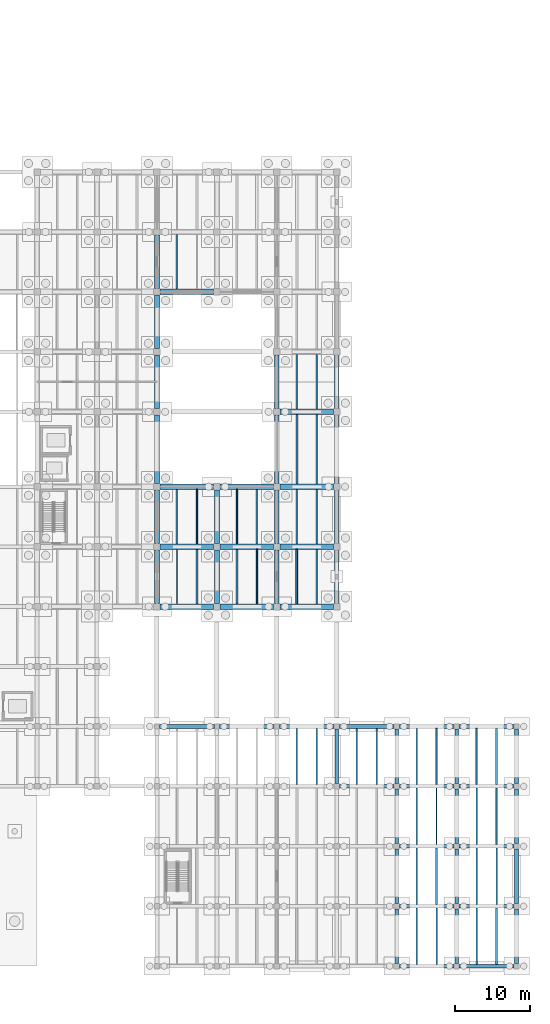
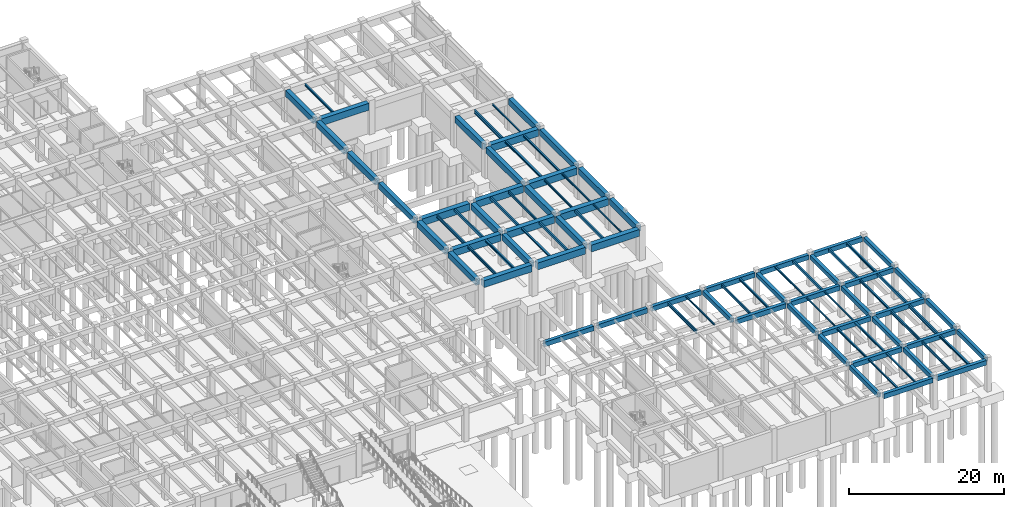
# One storey, part 21 of 44: 92 beams.
"""IFC4 building model written with IfcOpenShell, lengths in metres."""

from ifc_helpers import new_model, si_unit, direction, frame, origin, origin_2d, place, context, subcontext, project, spatial, rectangle, i_section, extrude, material, material_profile, profile_set, type_object, element, save


model = new_model("IFC4")

# Units and contexts
model_context = context("Model", 3, precision=1e-05, world=origin(), true_north=direction((0.0, 1.0)))
body_context = subcontext(model_context, "Body", "Model", "MODEL_VIEW")
ifc_project = project(units=[si_unit("LENGTHUNIT", "METRE"), si_unit("AREAUNIT", "SQUARE_METRE"), si_unit("VOLUMEUNIT", "CUBIC_METRE"), si_unit("PLANEANGLEUNIT", "RADIAN"), si_unit("MASSUNIT", "GRAM", prefix="KILO")], contexts=[model_context])

# Site, building, storey
site_placement = place(None, origin())
site = spatial("IfcSite", under=ifc_project, at=site_placement, CompositionType="ELEMENT")
building_placement = place(site_placement, origin())
building = spatial("IfcBuilding", under=site, at=building_placement, Name="Pecanmere Concourse Central Library", CompositionType="ELEMENT")
storey_placement = place(building_placement, frame((0.0, 0.0, -5.39990234375)))
storey = spatial("IfcBuildingStorey", under=building, at=storey_placement, Name="B1", CompositionType="ELEMENT", Elevation=-5.39990234375)

# Beams
ifc_material_1 = material(Name="Concrete C40/50", Category="concrete")
ifc_material_profile_1 = material_profile(ifc_material_1, rectangle(XDim=0.47998046875, YDim=0.679931640625, at=origin_2d()), Name="RC 480x680")
ifc_profile_set_1 = profile_set([ifc_material_profile_1], Name="Concrete C40/50")
beam_type_1 = type_object("IfcBeamType", Name="GRD_480x680", PredefinedType="USERDEFINED", material=ifc_profile_set_1)
for number, where, z_axis, x_axis, name in (
    (1, (152.0, 24.35009765625, 4.639892578125), (0.0, 1.0, 0.0), (-1.0, 0.0, 0.0), "Primary Girder Y L01-0397"),
    (2, (160.0, 0.35009765625, 4.639892578125), (0.0, 1.0, 0.0), (-1.0, 0.0, 0.0), "Primary Girder Y L01-0405"),
    (3, (160.0, 8.35009765625, 4.639892578125), (0.0, 1.0, 0.0), (-1.0, 0.0, 0.0), "Primary Girder Y L01-0406"),
    (4, (160.0, 16.35009765625, 4.639892578125), (0.0, 1.0, 0.0), (-1.0, 0.0, 0.0), "Primary Girder Y L01-0407"),
    (5, (160.0, 24.35009765625, 4.639892578125), (0.0, 1.0, 0.0), (-1.0, 0.0, 0.0), "Primary Girder Y L01-0408"),
    (6, (168.0, 0.35009765625, 4.639892578125), (0.0, 1.0, 0.0), (-1.0, 0.0, 0.0), "Primary Girder Y L01-0409"),
    (7, (168.0, 8.35009765625, 4.639892578125), (0.0, 1.0, 0.0), (-1.0, 0.0, 0.0), "Primary Girder Y L01-0410"),
    (8, (168.0, 16.35009765625, 4.639892578125), (0.0, 1.0, 0.0), (-1.0, 0.0, 0.0), "Primary Girder Y L01-0411"),
    (9, (168.0, 24.35009765625, 4.639892578125), (0.0, 1.0, 0.0), (-1.0, 0.0, 0.0), "Primary Girder Y L01-0412"),
    (10, (176.0, 0.35009765625, 4.639892578125), (0.0, 1.0, 0.0), (-1.0, 0.0, 0.0), "Primary Girder Y L01-0413"),
    (11, (176.0, 8.35009765625, 4.639892578125), (0.0, 1.0, 0.0), (-1.0, 0.0, 0.0), "Primary Girder Y L01-0414"),
    (12, (176.0, 16.35009765625, 4.639892578125), (0.0, 1.0, 0.0), (-1.0, 0.0, 0.0), "Primary Girder Y L01-0415"),
    (13, (176.0, 24.35009765625, 4.639892578125), (0.0, 1.0, 0.0), (-1.0, 0.0, 0.0), "Primary Girder Y L01-0416"),
):
    element("IfcBeam", number, at=place(storey_placement, frame(where, z_axis=z_axis, x_axis=x_axis)), inside=storey, type_object=beam_type_1, Name=name, ObjectType="GIRDER", PredefinedType="USERDEFINED", context=body_context, shape_type="SweptSolid", body=[
        extrude(rectangle(XDim=0.47998046875, YDim=0.679931640625, at=origin_2d()), origin(), (0.0, 0.0, 1.0), 7.2998046875),
    ])
ifc_material_2 = material(Name="Concrete C40/50", Category="concrete")
ifc_material_profile_2 = material_profile(ifc_material_2, rectangle(XDim=0.5, YDim=0.739990234375, at=origin_2d()), Name="RC 500x740")
ifc_profile_set_2 = profile_set([ifc_material_profile_2], Name="Concrete C40/50")
beam_type_2 = type_object("IfcBeamType", Name="GRD_500x740", PredefinedType="USERDEFINED", material=ifc_profile_set_2)
for number, where, z_axis, x_axis, name in (
    (14, (160.35009765625, 0.0, 4.60986328125), (1.0, 0.0, 0.0), (0.0, 1.0, 0.0), "Primary Girder X L01-0011"),
    (15, (168.35009765625, 0.0, 4.60986328125), (1.0, 0.0, 0.0), (0.0, 1.0, 0.0), "Primary Girder X L01-0012"),
    (16, (160.35009765625, 8.0, 4.60986328125), (1.0, 0.0, 0.0), (0.0, 1.0, 0.0), "Primary Girder X L01-0023"),
    (17, (168.35009765625, 8.0, 4.60986328125), (1.0, 0.0, 0.0), (0.0, 1.0, 0.0), "Primary Girder X L01-0024"),
    (18, (160.35009765625, 16.0, 4.60986328125), (1.0, 0.0, 0.0), (0.0, 1.0, 0.0), "Primary Girder X L01-0035"),
    (19, (168.35009765625, 16.0, 4.60986328125), (1.0, 0.0, 0.0), (0.0, 1.0, 0.0), "Primary Girder X L01-0036"),
    (20, (152.35009765625, 24.0, 4.60986328125), (1.0, 0.0, 0.0), (0.0, 1.0, 0.0), "Primary Girder X L01-0054"),
    (21, (160.35009765625, 24.0, 4.60986328125), (1.0, 0.0, 0.0), (0.0, 1.0, 0.0), "Primary Girder X L01-0055"),
    (22, (168.35009765625, 24.0, 4.60986328125), (1.0, 0.0, 0.0), (0.0, 1.0, 0.0), "Primary Girder X L01-0056"),
    (23, (128.35009765625, 32.0, 4.60986328125), (1.0, 0.0, 0.0), (0.0, 1.0, 0.0), "Primary Girder X L01-0071"),
    (24, (136.35009765625, 32.0, 4.60986328125), (1.0, 0.0, 0.0), (0.0, 1.0, 0.0), "Primary Girder X L01-0072"),
    (25, (144.35009765625, 32.0, 4.60986328125), (1.0, 0.0, 0.0), (0.0, 1.0, 0.0), "Primary Girder X L01-0073"),
    (26, (152.35009765625, 32.0, 4.60986328125), (1.0, 0.0, 0.0), (0.0, 1.0, 0.0), "Primary Girder X L01-0074"),
    (27, (160.35009765625, 32.0, 4.60986328125), (1.0, 0.0, 0.0), (0.0, 1.0, 0.0), "Primary Girder X L01-0075"),
    (28, (168.35009765625, 32.0, 4.60986328125), (1.0, 0.0, 0.0), (0.0, 1.0, 0.0), "Primary Girder X L01-0076"),
):
    element("IfcBeam", number, at=place(storey_placement, frame(where, z_axis=z_axis, x_axis=x_axis)), inside=storey, type_object=beam_type_2, Name=name, ObjectType="GIRDER", PredefinedType="USERDEFINED", context=body_context, shape_type="SweptSolid", body=[
        extrude(rectangle(XDim=0.5, YDim=0.739990234375, at=origin_2d()), origin(), (0.0, 0.0, 1.0), 7.2998046875),
    ])
ifc_material_3 = material(Name="Concrete C40/50", Category="concrete")
ifc_material_profile_3 = material_profile(ifc_material_3, rectangle(XDim=0.6201171875, YDim=0.919921875, at=origin_2d()), Name="RC 620x920")
ifc_profile_set_3 = profile_set([ifc_material_profile_3], Name="Concrete C40/50")
beam_type_3 = type_object("IfcBeamType", Name="GRD_620x920", PredefinedType="USERDEFINED", material=ifc_profile_set_3)
for number, where, z_axis, x_axis, name in (
    (29, (128.0, 64.429931640625, 4.52001953125), (0.0, 1.0, 0.0), (-1.0, 0.0, 0.0), "Primary Girder Y L01-0370"),
    (30, (144.0, 64.429931640625, 4.52001953125), (0.0, 1.0, 0.0), (-1.0, 0.0, 0.0), "Primary Girder Y L01-0389"),
    (31, (152.0, 64.429931640625, 4.52001953125), (0.0, 1.0, 0.0), (-1.0, 0.0, 0.0), "Primary Girder Y L01-0400"),
):
    element("IfcBeam", number, at=place(storey_placement, frame(where, z_axis=z_axis, x_axis=x_axis)), inside=storey, type_object=beam_type_3, Name=name, ObjectType="GIRDER", PredefinedType="USERDEFINED", context=body_context, shape_type="SweptSolid", body=[
        extrude(rectangle(XDim=0.6201171875, YDim=0.919921875, at=origin_2d()), origin(), (0.0, 0.0, 1.0), 9.14013671875),
    ])
ifc_material_4 = material(Name="Concrete C40/50", Category="concrete")
ifc_material_profile_4 = material_profile(ifc_material_4, rectangle(XDim=0.639892578125, YDim=0.949951171875, at=origin_2d()), Name="RC 640x950")
ifc_profile_set_4 = profile_set([ifc_material_profile_4], Name="Concrete C40/50")
beam_type_4 = type_object("IfcBeamType", Name="GRD_640x950", PredefinedType="USERDEFINED", material=ifc_profile_set_4)
for number, where, z_axis, x_axis, name in (
    (32, (128.0, 48.429931640625, 4.5048828125), (0.0, 1.0, 0.0), (-1.0, 0.0, 0.0), "Primary Girder Y L01-0368"),
    (33, (128.0, 56.429931640625, 4.5048828125), (0.0, 1.0, 0.0), (-1.0, 0.0, 0.0), "Primary Girder Y L01-0369"),
    (34, (128.0, 74.429931640625, 4.5048828125), (0.0, 1.0, 0.0), (-1.0, 0.0, 0.0), "Primary Girder Y L01-0371"),
    (35, (128.0, 82.429931640625, 4.5048828125), (0.0, 1.0, 0.0), (-1.0, 0.0, 0.0), "Primary Girder Y L01-0372"),
    (36, (128.0, 90.429931640625, 4.5048828125), (0.0, 1.0, 0.0), (-1.0, 0.0, 0.0), "Primary Girder Y L01-0373"),
    (37, (136.0, 48.429931640625, 4.5048828125), (0.0, 1.0, 0.0), (-1.0, 0.0, 0.0), "Primary Girder Y L01-0379"),
    (38, (136.0, 56.429931640625, 4.5048828125), (0.0, 1.0, 0.0), (-1.0, 0.0, 0.0), "Primary Girder Y L01-0380"),
    (39, (144.0, 48.429931640625, 4.5048828125), (0.0, 1.0, 0.0), (-1.0, 0.0, 0.0), "Primary Girder Y L01-0387"),
    (40, (144.0, 56.429931640625, 4.5048828125), (0.0, 1.0, 0.0), (-1.0, 0.0, 0.0), "Primary Girder Y L01-0388"),
    (41, (144.0, 74.429931640625, 4.5048828125), (0.0, 1.0, 0.0), (-1.0, 0.0, 0.0), "Primary Girder Y L01-0390"),
    (42, (152.0, 48.429931640625, 4.5048828125), (0.0, 1.0, 0.0), (-1.0, 0.0, 0.0), "Primary Girder Y L01-0398"),
    (43, (152.0, 56.429931640625, 4.5048828125), (0.0, 1.0, 0.0), (-1.0, 0.0, 0.0), "Primary Girder Y L01-0399"),
    (44, (152.0, 74.429931640625, 4.5048828125), (0.0, 1.0, 0.0), (-1.0, 0.0, 0.0), "Primary Girder Y L01-0401"),
):
    element("IfcBeam", number, at=place(storey_placement, frame(where, z_axis=z_axis, x_axis=x_axis)), inside=storey, type_object=beam_type_4, Name=name, ObjectType="GIRDER", PredefinedType="USERDEFINED", context=body_context, shape_type="SweptSolid", body=[
        extrude(rectangle(XDim=0.639892578125, YDim=0.949951171875, at=origin_2d()), origin(), (0.0, 0.0, 1.0), 7.14013671875),
    ])
ifc_material_5 = material(Name="Concrete C40/50", Category="concrete")
ifc_material_profile_5 = material_profile(ifc_material_5, rectangle(XDim=0.719970703125, YDim=1.080078125, at=origin_2d()), Name="RC 720x1080")
ifc_profile_set_5 = profile_set([ifc_material_profile_5], Name="Concrete C40/50")
beam_type_5 = type_object("IfcBeamType", Name="GRD_720x1080", PredefinedType="USERDEFINED", material=ifc_profile_set_5)
for number, where, z_axis, x_axis, name in (
    (45, (128.429931640625, 48.0, 4.43994140625), (1.0, 0.0, 0.0), (0.0, 1.0, 0.0), "Primary Girder X L01-0098"),
    (46, (136.429931640625, 48.0, 4.43994140625), (1.0, 0.0, 0.0), (0.0, 1.0, 0.0), "Primary Girder X L01-0099"),
    (47, (144.429931640625, 48.0, 4.43994140625), (1.0, 0.0, 0.0), (0.0, 1.0, 0.0), "Primary Girder X L01-0100"),
    (48, (128.429931640625, 56.0, 4.43994140625), (1.0, 0.0, 0.0), (0.0, 1.0, 0.0), "Primary Girder X L01-0114"),
    (49, (136.429931640625, 56.0, 4.43994140625), (1.0, 0.0, 0.0), (0.0, 1.0, 0.0), "Primary Girder X L01-0115"),
    (50, (144.429931640625, 56.0, 4.43994140625), (1.0, 0.0, 0.0), (0.0, 1.0, 0.0), "Primary Girder X L01-0116"),
    (51, (128.429931640625, 64.0, 4.43994140625), (1.0, 0.0, 0.0), (0.0, 1.0, 0.0), "Primary Girder X L01-0130"),
    (52, (136.429931640625, 64.0, 4.43994140625), (1.0, 0.0, 0.0), (0.0, 1.0, 0.0), "Primary Girder X L01-0131"),
    (53, (144.429931640625, 64.0, 4.43994140625), (1.0, 0.0, 0.0), (0.0, 1.0, 0.0), "Primary Girder X L01-0132"),
    (54, (144.429931640625, 74.0, 4.43994140625), (1.0, 0.0, 0.0), (0.0, 1.0, 0.0), "Primary Girder X L01-0144"),
    (55, (128.429931640625, 90.0, 4.43994140625), (1.0, 0.0, 0.0), (0.0, 1.0, 0.0), "Primary Girder X L01-0170"),
):
    element("IfcBeam", number, at=place(storey_placement, frame(where, z_axis=z_axis, x_axis=x_axis)), inside=storey, type_object=beam_type_5, Name=name, ObjectType="GIRDER", PredefinedType="USERDEFINED", context=body_context, shape_type="SweptSolid", body=[
        extrude(rectangle(XDim=0.719970703125, YDim=1.080078125, at=origin_2d()), origin(), (0.0, 0.0, 1.0), 7.14013671875),
    ])
ifc_material_6 = material(Name="Concrete C40/50", Category="concrete")
ifc_material_profile_6 = material_profile(ifc_material_6, rectangle(XDim=0.219970703125, YDim=0.409912109375, at=origin_2d()), Name="RC 220x410")
ifc_profile_set_6 = profile_set([ifc_material_profile_6], Name="Concrete C40/50")
beam_type_6 = type_object("IfcBeamType", Name="JST_RC_220x410", PredefinedType="JOIST", material=ifc_profile_set_6)
for number, where, z_axis, x_axis, name in (
    (56, (133.333251953125, 56.360107421875, 4.77490234375), (0.0, 1.0, 0.0), (-1.0, 0.0, 0.0), "Secondary Floor Joist L01-0692"),
    (57, (141.333251953125, 48.360107421875, 4.77490234375), (0.0, 1.0, 0.0), (-1.0, 0.0, 0.0), "Secondary Floor Joist L01-0706"),
    (58, (138.666748046875, 56.360107421875, 4.77490234375), (0.0, 1.0, 0.0), (-1.0, 0.0, 0.0), "Secondary Floor Joist L01-0707"),
    (59, (146.666748046875, 48.360107421875, 4.77490234375), (0.0, 1.0, 0.0), (-1.0, 0.0, 0.0), "Secondary Floor Joist L01-0721"),
):
    element("IfcBeam", number, at=place(storey_placement, frame(where, z_axis=z_axis, x_axis=x_axis)), inside=storey, type_object=beam_type_6, Name=name, PredefinedType="JOIST", context=body_context, shape_type="SweptSolid", body=[
        extrude(rectangle(XDim=0.219970703125, YDim=0.409912109375, at=origin_2d()), origin(), (0.0, 0.0, 1.0), 7.27978515625),
    ])
for number, where, z_axis, x_axis, name in (
    (60, (165.333251953125, 24.25, 4.77490234375), (0.0, 1.0, 0.0), (-1.0, 0.0, 0.0), "Secondary Floor Joist L01-0750"),
    (61, (173.333251953125, 16.25, 4.77490234375), (0.0, 1.0, 0.0), (-1.0, 0.0, 0.0), "Secondary Floor Joist L01-0756"),
    (62, (170.666748046875, 24.25, 4.77490234375), (0.0, 1.0, 0.0), (-1.0, 0.0, 0.0), "Secondary Floor Joist L01-0757"),
):
    element("IfcBeam", number, at=place(storey_placement, frame(where, z_axis=z_axis, x_axis=x_axis)), inside=storey, type_object=beam_type_6, Name=name, PredefinedType="JOIST", context=body_context, shape_type="SweptSolid", body=[
        extrude(rectangle(XDim=0.219970703125, YDim=0.409912109375, at=origin_2d()), origin(), (0.0, 0.0, 1.0), 7.5),
    ])
ifc_material_7 = material(Name="Structural steel ASTM A992 Grade 50", Category="steel")
ifc_material_profile_7 = material_profile(ifc_material_7, i_section(OverallWidth=0.152099609375, OverallDepth=0.152099609375, WebThickness=0.005859375, FlangeThickness=0.006591796875, at=origin_2d()), Name="W150x22.5")
ifc_profile_set_7 = profile_set([ifc_material_profile_7], Name="Structural steel ASTM A992 Grade 50")
beam_type_7 = type_object("IfcBeamType", Name="SBM_W150x22", PredefinedType="LINTEL", material=ifc_profile_set_7)
beam_1_placement = place(storey_placement, frame((165.333251953125, 16.25, 4.90380859375), z_axis=(0.0, 1.0, 0.0), x_axis=(-1.0, 0.0, 0.0)))
element("IfcBeam", 63, at=beam_1_placement, inside=storey, type_object=beam_type_7, Name="Secondary Floor Joist L01-0748", PredefinedType="LINTEL", context=body_context, shape_type="SweptSolid", body=[
    extrude(i_section(OverallWidth=0.152099609375, OverallDepth=0.152099609375, WebThickness=0.005859375, FlangeThickness=0.006591796875, at=origin_2d()), origin(), (0.0, 0.0, 1.0), 7.5),
])
ifc_material_8 = material(Name="Structural steel ASTM A992 Grade 50", Category="steel")
ifc_material_profile_8 = material_profile(ifc_material_8, i_section(OverallWidth=0.1650390625, OverallDepth=0.200927734375, WebThickness=0.006103515625, FlangeThickness=0.01025390625, at=origin_2d()), Name="W200x35.9")
ifc_profile_set_8 = profile_set([ifc_material_profile_8], Name="Structural steel ASTM A992 Grade 50")
beam_type_8 = type_object("IfcBeamType", Name="SBM_W200x36", PredefinedType="LINTEL", material=ifc_profile_set_8)
beam_2_placement = place(storey_placement, frame((149.333251953125, 24.25, 4.87939453125), z_axis=(0.0, 1.0, 0.0), x_axis=(-1.0, 0.0, 0.0)))
element("IfcBeam", 64, at=beam_2_placement, inside=storey, type_object=beam_type_8, Name="Secondary Floor Joist L01-0720", PredefinedType="LINTEL", context=body_context, shape_type="SweptSolid", body=[
    extrude(i_section(OverallWidth=0.1650390625, OverallDepth=0.200927734375, WebThickness=0.006103515625, FlangeThickness=0.01025390625, at=origin_2d()), origin(), (0.0, 0.0, 1.0), 7.5),
])
for number, where, z_axis, x_axis, name in (
    (65, (149.333251953125, 48.360107421875, 4.87939453125), (0.0, 1.0, 0.0), (-1.0, 0.0, 0.0), "Secondary Floor Joist L01-0722"),
    (66, (149.333251953125, 74.360107421875, 4.87939453125), (0.0, 1.0, 0.0), (-1.0, 0.0, 0.0), "Secondary Floor Joist L01-0728"),
):
    element("IfcBeam", number, at=place(storey_placement, frame(where, z_axis=z_axis, x_axis=x_axis)), inside=storey, type_object=beam_type_8, Name=name, PredefinedType="LINTEL", context=body_context, shape_type="SweptSolid", body=[
        extrude(i_section(OverallWidth=0.1650390625, OverallDepth=0.200927734375, WebThickness=0.006103515625, FlangeThickness=0.01025390625, at=origin_2d()), origin(), (0.0, 0.0, 1.0), 7.27978515625),
    ])
beam_3_placement = place(storey_placement, frame((162.666748046875, 16.25, 4.87939453125), z_axis=(0.0, 1.0, 0.0), x_axis=(-1.0, 0.0, 0.0)))
element("IfcBeam", 67, at=beam_3_placement, inside=storey, type_object=beam_type_8, Name="Secondary Floor Joist L01-0747", PredefinedType="LINTEL", context=body_context, shape_type="SweptSolid", body=[
    extrude(i_section(OverallWidth=0.1650390625, OverallDepth=0.200927734375, WebThickness=0.006103515625, FlangeThickness=0.01025390625, at=origin_2d()), origin(), (0.0, 0.0, 1.0), 7.5),
])
ifc_material_9 = material(Name="Structural steel ASTM A992 Grade 50", Category="steel")
ifc_material_profile_9 = material_profile(ifc_material_9, i_section(OverallWidth=0.2041015625, OverallDepth=0.2060546875, WebThickness=0.0078125, FlangeThickness=0.0126953125, at=origin_2d()), Name="W200x52")
ifc_profile_set_9 = profile_set([ifc_material_profile_9], Name="Structural steel ASTM A992 Grade 50")
beam_type_9 = type_object("IfcBeamType", Name="SBM_W200x52", PredefinedType="JOIST", material=ifc_profile_set_9)
beam_4_placement = place(storey_placement, frame((165.333251953125, 0.25, 4.876953125), z_axis=(0.0, 1.0, 0.0), x_axis=(-1.0, 0.0, 0.0)))
element("IfcBeam", 68, at=beam_4_placement, inside=storey, type_object=beam_type_9, Name="Secondary Floor Joist L01-0744", PredefinedType="JOIST", context=body_context, shape_type="SweptSolid", body=[
    extrude(i_section(OverallWidth=0.2041015625, OverallDepth=0.2060546875, WebThickness=0.0078125, FlangeThickness=0.0126953125, at=origin_2d()), origin(), (0.0, 0.0, 1.0), 7.5),
])
ifc_material_10 = material(Name="Structural steel ASTM A992 Grade 50", Category="steel")
ifc_material_profile_10 = material_profile(ifc_material_10, i_section(OverallWidth=0.201904296875, OverallDepth=0.2470703125, WebThickness=0.00732421875, FlangeThickness=0.010986328125, at=origin_2d()), Name="W250x49.1")
ifc_profile_set_10 = profile_set([ifc_material_profile_10], Name="Structural steel ASTM A992 Grade 50")
beam_type_10 = type_object("IfcBeamType", Name="SBM_W250x49", PredefinedType="JOIST", material=ifc_profile_set_10)
beam_5_placement = place(storey_placement, frame((149.333251953125, 56.360107421875, 4.8564453125), z_axis=(0.0, 1.0, 0.0), x_axis=(-1.0, 0.0, 0.0)))
element("IfcBeam", 69, at=beam_5_placement, inside=storey, type_object=beam_type_10, Name="Secondary Floor Joist L01-0724", PredefinedType="JOIST", context=body_context, shape_type="SweptSolid", body=[
    extrude(i_section(OverallWidth=0.201904296875, OverallDepth=0.2470703125, WebThickness=0.00732421875, FlangeThickness=0.010986328125, at=origin_2d()), origin(), (0.0, 0.0, 1.0), 7.27978515625),
])
for number, where, z_axis, x_axis, name in (
    (70, (162.666748046875, 0.25, 4.8564453125), (0.0, 1.0, 0.0), (-1.0, 0.0, 0.0), "Secondary Floor Joist L01-0743"),
    (71, (162.666748046875, 24.25, 4.8564453125), (0.0, 1.0, 0.0), (-1.0, 0.0, 0.0), "Secondary Floor Joist L01-0749"),
):
    element("IfcBeam", number, at=place(storey_placement, frame(where, z_axis=z_axis, x_axis=x_axis)), inside=storey, type_object=beam_type_10, Name=name, PredefinedType="JOIST", context=body_context, shape_type="SweptSolid", body=[
        extrude(i_section(OverallWidth=0.201904296875, OverallDepth=0.2470703125, WebThickness=0.00732421875, FlangeThickness=0.010986328125, at=origin_2d()), origin(), (0.0, 0.0, 1.0), 7.5),
    ])
ifc_material_11 = material(Name="Structural steel ASTM A992 Grade 50", Category="steel")
ifc_material_profile_11 = material_profile(ifc_material_11, i_section(OverallWidth=0.25390625, OverallDepth=0.2529296875, WebThickness=0.008544921875, FlangeThickness=0.01416015625, at=origin_2d()), Name="W250x73")
ifc_profile_set_11 = profile_set([ifc_material_profile_11], Name="Structural steel ASTM A992 Grade 50")
beam_type_11 = type_object("IfcBeamType", Name="SBM_W250x73", PredefinedType="BEAM", material=ifc_profile_set_11)
beam_6_placement = place(storey_placement, frame((138.666748046875, 48.360107421875, 4.853515625), z_axis=(0.0, 1.0, 0.0), x_axis=(-1.0, 0.0, 0.0)))
element("IfcBeam", 72, at=beam_6_placement, inside=storey, type_object=beam_type_11, Name="Secondary Floor Joist L01-0705", PredefinedType="BEAM", context=body_context, shape_type="SweptSolid", body=[
    extrude(i_section(OverallWidth=0.25390625, OverallDepth=0.2529296875, WebThickness=0.008544921875, FlangeThickness=0.01416015625, at=origin_2d()), origin(), (0.0, 0.0, 1.0), 7.27978515625),
])
beam_7_placement = place(storey_placement, frame((165.333251953125, 8.25, 4.853515625), z_axis=(0.0, 1.0, 0.0), x_axis=(-1.0, 0.0, 0.0)))
element("IfcBeam", 73, at=beam_7_placement, inside=storey, type_object=beam_type_11, Name="Secondary Floor Joist L01-0746", PredefinedType="BEAM", context=body_context, shape_type="SweptSolid", body=[
    extrude(i_section(OverallWidth=0.25390625, OverallDepth=0.2529296875, WebThickness=0.008544921875, FlangeThickness=0.01416015625, at=origin_2d()), origin(), (0.0, 0.0, 1.0), 7.5),
])
ifc_material_12 = material(Name="Structural steel ASTM A992 Grade 50", Category="steel")
ifc_material_profile_12 = material_profile(ifc_material_12, i_section(OverallWidth=0.1669921875, OverallDepth=0.31689453125, WebThickness=0.007568359375, FlangeThickness=0.01318359375, at=origin_2d()), Name="W310x52")
ifc_profile_set_12 = profile_set([ifc_material_profile_12], Name="Structural steel ASTM A992 Grade 50")
beam_type_12 = type_object("IfcBeamType", Name="SBM_W310x52", PredefinedType="JOIST", material=ifc_profile_set_12)
beam_8_placement = place(storey_placement, frame((146.666748046875, 56.360107421875, 4.8212890625), z_axis=(0.0, 1.0, 0.0), x_axis=(-1.0, 0.0, 0.0)))
element("IfcBeam", 74, at=beam_8_placement, inside=storey, type_object=beam_type_12, Name="Secondary Floor Joist L01-0723", PredefinedType="JOIST", context=body_context, shape_type="SweptSolid", body=[
    extrude(i_section(OverallWidth=0.1669921875, OverallDepth=0.31689453125, WebThickness=0.007568359375, FlangeThickness=0.01318359375, at=origin_2d()), origin(), (0.0, 0.0, 1.0), 7.27978515625),
])
ifc_material_13 = material(Name="Structural steel ASTM A992 Grade 50", Category="steel")
ifc_material_profile_13 = material_profile(ifc_material_13, i_section(OverallWidth=0.205078125, OverallDepth=0.31005859375, WebThickness=0.009521484375, FlangeThickness=0.016357421875, at=origin_2d()), Name="W310x74")
ifc_profile_set_13 = profile_set([ifc_material_profile_13], Name="Structural steel ASTM A992 Grade 50")
beam_type_13 = type_object("IfcBeamType", Name="SBM_W310x74", PredefinedType="BEAM", material=ifc_profile_set_13)
beam_9_placement = place(storey_placement, frame((149.333251953125, 64.360107421875, 4.824951171875), z_axis=(0.0, 1.0, 0.0), x_axis=(-1.0, 0.0, 0.0)))
element("IfcBeam", 75, at=beam_9_placement, inside=storey, type_object=beam_type_13, Name="Secondary Floor Joist L01-0726", PredefinedType="BEAM", context=body_context, shape_type="SweptSolid", body=[
    extrude(i_section(OverallWidth=0.205078125, OverallDepth=0.31005859375, WebThickness=0.009521484375, FlangeThickness=0.016357421875, at=origin_2d()), origin(), (0.0, 0.0, 1.0), 9.27978515625),
])
beam_10_placement = place(storey_placement, frame((162.666748046875, 8.25, 4.824951171875), z_axis=(0.0, 1.0, 0.0), x_axis=(-1.0, 0.0, 0.0)))
element("IfcBeam", 76, at=beam_10_placement, inside=storey, type_object=beam_type_13, Name="Secondary Floor Joist L01-0745", PredefinedType="BEAM", context=body_context, shape_type="SweptSolid", body=[
    extrude(i_section(OverallWidth=0.205078125, OverallDepth=0.31005859375, WebThickness=0.009521484375, FlangeThickness=0.016357421875, at=origin_2d()), origin(), (0.0, 0.0, 1.0), 7.5),
])
ifc_material_14 = material(Name="Structural steel ASTM A992 Grade 50", Category="steel")
ifc_material_profile_14 = material_profile(ifc_material_14, i_section(OverallWidth=0.202880859375, OverallDepth=0.346923828125, WebThickness=0.0078125, FlangeThickness=0.013427734375, at=origin_2d()), Name="W360x64")
ifc_profile_set_14 = profile_set([ifc_material_profile_14], Name="Structural steel ASTM A992 Grade 50")
beam_type_14 = type_object("IfcBeamType", Name="SBM_W360x64", PredefinedType="JOIST", material=ifc_profile_set_14)
beam_11_placement = place(storey_placement, frame((130.666748046875, 90.360107421875, 4.806396484375), z_axis=(0.0, 1.0, 0.0), x_axis=(-1.0, 0.0, 0.0)))
element("IfcBeam", 77, at=beam_11_placement, inside=storey, type_object=beam_type_14, Name="Secondary Floor Joist L01-0693", PredefinedType="JOIST", context=body_context, shape_type="SweptSolid", body=[
    extrude(i_section(OverallWidth=0.202880859375, OverallDepth=0.346923828125, WebThickness=0.0078125, FlangeThickness=0.013427734375, at=origin_2d()), origin(), (0.0, 0.0, 1.0), 7.27978515625),
])
for number, where, z_axis, x_axis, name in (
    (78, (157.333251953125, 24.25, 4.806396484375), (0.0, 1.0, 0.0), (-1.0, 0.0, 0.0), "Secondary Floor Joist L01-0742"),
    (79, (170.666748046875, 16.25, 4.806396484375), (0.0, 1.0, 0.0), (-1.0, 0.0, 0.0), "Secondary Floor Joist L01-0755"),
):
    element("IfcBeam", number, at=place(storey_placement, frame(where, z_axis=z_axis, x_axis=x_axis)), inside=storey, type_object=beam_type_14, Name=name, PredefinedType="JOIST", context=body_context, shape_type="SweptSolid", body=[
        extrude(i_section(OverallWidth=0.202880859375, OverallDepth=0.346923828125, WebThickness=0.0078125, FlangeThickness=0.013427734375, at=origin_2d()), origin(), (0.0, 0.0, 1.0), 7.5),
    ])
ifc_material_15 = material(Name="Structural steel ASTM A992 Grade 50", Category="steel")
ifc_material_profile_15 = material_profile(ifc_material_15, i_section(OverallWidth=0.25390625, OverallDepth=0.35302734375, WebThickness=0.009521484375, FlangeThickness=0.016357421875, at=origin_2d()), Name="W360x91")
ifc_profile_set_15 = profile_set([ifc_material_profile_15], Name="Structural steel ASTM A992 Grade 50")
beam_type_15 = type_object("IfcBeamType", Name="SBM_W360x91", PredefinedType="BEAM", material=ifc_profile_set_15)
beam_12_placement = place(storey_placement, frame((133.333251953125, 48.360107421875, 4.803466796875), z_axis=(0.0, 1.0, 0.0), x_axis=(-1.0, 0.0, 0.0)))
element("IfcBeam", 80, at=beam_12_placement, inside=storey, type_object=beam_type_15, Name="Secondary Floor Joist L01-0690", PredefinedType="BEAM", context=body_context, shape_type="SweptSolid", body=[
    extrude(i_section(OverallWidth=0.25390625, OverallDepth=0.35302734375, WebThickness=0.009521484375, FlangeThickness=0.016357421875, at=origin_2d()), origin(), (0.0, 0.0, 1.0), 7.27978515625),
])
beam_13_placement = place(storey_placement, frame((146.666748046875, 64.360107421875, 4.803466796875), z_axis=(0.0, 1.0, 0.0), x_axis=(-1.0, 0.0, 0.0)))
element("IfcBeam", 81, at=beam_13_placement, inside=storey, type_object=beam_type_15, Name="Secondary Floor Joist L01-0725", PredefinedType="BEAM", context=body_context, shape_type="SweptSolid", body=[
    extrude(i_section(OverallWidth=0.25390625, OverallDepth=0.35302734375, WebThickness=0.009521484375, FlangeThickness=0.016357421875, at=origin_2d()), origin(), (0.0, 0.0, 1.0), 9.27978515625),
])
for number, where, z_axis, x_axis, name in (
    (82, (173.333251953125, 0.25, 4.803466796875), (0.0, 1.0, 0.0), (-1.0, 0.0, 0.0), "Secondary Floor Joist L01-0752"),
    (83, (173.333251953125, 24.25, 4.803466796875), (0.0, 1.0, 0.0), (-1.0, 0.0, 0.0), "Secondary Floor Joist L01-0758"),
):
    element("IfcBeam", number, at=place(storey_placement, frame(where, z_axis=z_axis, x_axis=x_axis)), inside=storey, type_object=beam_type_15, Name=name, PredefinedType="BEAM", context=body_context, shape_type="SweptSolid", body=[
        extrude(i_section(OverallWidth=0.25390625, OverallDepth=0.35302734375, WebThickness=0.009521484375, FlangeThickness=0.016357421875, at=origin_2d()), origin(), (0.0, 0.0, 1.0), 7.5),
    ])
ifc_material_16 = material(Name="Structural steel ASTM A992 Grade 50", Category="steel")
ifc_material_profile_16 = material_profile(ifc_material_16, i_section(OverallWidth=0.177978515625, OverallDepth=0.406982421875, WebThickness=0.0078125, FlangeThickness=0.0126953125, at=origin_2d()), Name="W410x60")
ifc_profile_set_16 = profile_set([ifc_material_profile_16], Name="Structural steel ASTM A992 Grade 50")
beam_type_16 = type_object("IfcBeamType", Name="SBM_W410x60", PredefinedType="JOIST", material=ifc_profile_set_16)
beam_14_placement = place(storey_placement, frame((141.333251953125, 56.360107421875, 4.7763671875), z_axis=(0.0, 1.0, 0.0), x_axis=(-1.0, 0.0, 0.0)))
element("IfcBeam", 84, at=beam_14_placement, inside=storey, type_object=beam_type_16, Name="Secondary Floor Joist L01-0708", PredefinedType="JOIST", context=body_context, shape_type="SweptSolid", body=[
    extrude(i_section(OverallWidth=0.177978515625, OverallDepth=0.406982421875, WebThickness=0.0078125, FlangeThickness=0.0126953125, at=origin_2d()), origin(), (0.0, 0.0, 1.0), 7.27978515625),
])
beam_15_placement = place(storey_placement, frame((154.666748046875, 24.25, 4.7763671875), z_axis=(0.0, 1.0, 0.0), x_axis=(-1.0, 0.0, 0.0)))
element("IfcBeam", 85, at=beam_15_placement, inside=storey, type_object=beam_type_16, Name="Secondary Floor Joist L01-0741", PredefinedType="JOIST", context=body_context, shape_type="SweptSolid", body=[
    extrude(i_section(OverallWidth=0.177978515625, OverallDepth=0.406982421875, WebThickness=0.0078125, FlangeThickness=0.0126953125, at=origin_2d()), origin(), (0.0, 0.0, 1.0), 7.5),
])
ifc_material_17 = material(Name="Structural steel ASTM A992 Grade 50", Category="steel")
ifc_material_profile_17 = material_profile(ifc_material_17, i_section(OverallWidth=0.180908203125, OverallDepth=0.4169921875, WebThickness=0.010986328125, FlangeThickness=0.018310546875, at=origin_2d()), Name="W410x85")
ifc_profile_set_17 = profile_set([ifc_material_profile_17], Name="Structural steel ASTM A992 Grade 50")
beam_type_17 = type_object("IfcBeamType", Name="SBM_W410x85", PredefinedType="BEAM", material=ifc_profile_set_17)
beam_16_placement = place(storey_placement, frame((130.666748046875, 48.360107421875, 4.771484375), z_axis=(0.0, 1.0, 0.0), x_axis=(-1.0, 0.0, 0.0)))
element("IfcBeam", 86, at=beam_16_placement, inside=storey, type_object=beam_type_17, Name="Secondary Floor Joist L01-0689", PredefinedType="BEAM", context=body_context, shape_type="SweptSolid", body=[
    extrude(i_section(OverallWidth=0.180908203125, OverallDepth=0.4169921875, WebThickness=0.010986328125, FlangeThickness=0.018310546875, at=origin_2d()), origin(), (0.0, 0.0, 1.0), 7.27978515625),
])
beam_17_placement = place(storey_placement, frame((170.666748046875, 0.25, 4.771484375), z_axis=(0.0, 1.0, 0.0), x_axis=(-1.0, 0.0, 0.0)))
element("IfcBeam", 87, at=beam_17_placement, inside=storey, type_object=beam_type_17, Name="Secondary Floor Joist L01-0751", PredefinedType="BEAM", context=body_context, shape_type="SweptSolid", body=[
    extrude(i_section(OverallWidth=0.180908203125, OverallDepth=0.4169921875, WebThickness=0.010986328125, FlangeThickness=0.018310546875, at=origin_2d()), origin(), (0.0, 0.0, 1.0), 7.5),
])
ifc_material_18 = material(Name="Structural steel ASTM A992 Grade 50", Category="steel")
ifc_material_profile_18 = material_profile(ifc_material_18, i_section(OverallWidth=0.194091796875, OverallDepth=0.468994140625, WebThickness=0.0126953125, FlangeThickness=0.0205078125, at=origin_2d()), Name="W460x106")
ifc_profile_set_18 = profile_set([ifc_material_profile_18], Name="Structural steel ASTM A992 Grade 50")
beam_type_18 = type_object("IfcBeamType", Name="SBM_W460x106", PredefinedType="USERDEFINED", material=ifc_profile_set_18)
beam_18_placement = place(storey_placement, frame((130.666748046875, 56.360107421875, 4.745361328125), z_axis=(0.0, 1.0, 0.0), x_axis=(-1.0, 0.0, 0.0)))
element("IfcBeam", 88, at=beam_18_placement, inside=storey, type_object=beam_type_18, Name="Secondary Floor Joist L01-0691", ObjectType="GIRDER", PredefinedType="USERDEFINED", context=body_context, shape_type="SweptSolid", body=[
    extrude(i_section(OverallWidth=0.194091796875, OverallDepth=0.468994140625, WebThickness=0.0126953125, FlangeThickness=0.0205078125, at=origin_2d()), origin(), (0.0, 0.0, 1.0), 7.27978515625),
])
beam_19_placement = place(storey_placement, frame((170.666748046875, 8.25, 4.745361328125), z_axis=(0.0, 1.0, 0.0), x_axis=(-1.0, 0.0, 0.0)))
element("IfcBeam", 89, at=beam_19_placement, inside=storey, type_object=beam_type_18, Name="Secondary Floor Joist L01-0753", ObjectType="GIRDER", PredefinedType="USERDEFINED", context=body_context, shape_type="SweptSolid", body=[
    extrude(i_section(OverallWidth=0.194091796875, OverallDepth=0.468994140625, WebThickness=0.0126953125, FlangeThickness=0.0205078125, at=origin_2d()), origin(), (0.0, 0.0, 1.0), 7.5),
])
ifc_material_19 = material(Name="Structural steel ASTM A992 Grade 50", Category="steel")
ifc_material_profile_19 = material_profile(ifc_material_19, i_section(OverallWidth=0.2109375, OverallDepth=0.5390625, WebThickness=0.01171875, FlangeThickness=0.018798828125, at=origin_2d()), Name="W530x109")
ifc_profile_set_19 = profile_set([ifc_material_profile_19], Name="Structural steel ASTM A992 Grade 50")
beam_type_19 = type_object("IfcBeamType", Name="SBM_W530x109", PredefinedType="USERDEFINED", material=ifc_profile_set_19)
beam_20_placement = place(storey_placement, frame((146.666748046875, 24.25, 4.71044921875), z_axis=(0.0, 1.0, 0.0), x_axis=(-1.0, 0.0, 0.0)))
element("IfcBeam", 90, at=beam_20_placement, inside=storey, type_object=beam_type_19, Name="Secondary Floor Joist L01-0719", ObjectType="GIRDER", PredefinedType="USERDEFINED", context=body_context, shape_type="SweptSolid", body=[
    extrude(i_section(OverallWidth=0.2109375, OverallDepth=0.5390625, WebThickness=0.01171875, FlangeThickness=0.018798828125, at=origin_2d()), origin(), (0.0, 0.0, 1.0), 7.5),
])
beam_21_placement = place(storey_placement, frame((146.666748046875, 74.360107421875, 4.71044921875), z_axis=(0.0, 1.0, 0.0), x_axis=(-1.0, 0.0, 0.0)))
element("IfcBeam", 91, at=beam_21_placement, inside=storey, type_object=beam_type_19, Name="Secondary Floor Joist L01-0727", ObjectType="GIRDER", PredefinedType="USERDEFINED", context=body_context, shape_type="SweptSolid", body=[
    extrude(i_section(OverallWidth=0.2109375, OverallDepth=0.5390625, WebThickness=0.01171875, FlangeThickness=0.018798828125, at=origin_2d()), origin(), (0.0, 0.0, 1.0), 7.27978515625),
])
beam_22_placement = place(storey_placement, frame((173.333251953125, 8.25, 4.71044921875), z_axis=(0.0, 1.0, 0.0), x_axis=(-1.0, 0.0, 0.0)))
element("IfcBeam", 92, at=beam_22_placement, inside=storey, type_object=beam_type_19, Name="Secondary Floor Joist L01-0754", ObjectType="GIRDER", PredefinedType="USERDEFINED", context=body_context, shape_type="SweptSolid", body=[
    extrude(i_section(OverallWidth=0.2109375, OverallDepth=0.5390625, WebThickness=0.01171875, FlangeThickness=0.018798828125, at=origin_2d()), origin(), (0.0, 0.0, 1.0), 7.5),
])

save(model, "model.ifc")
